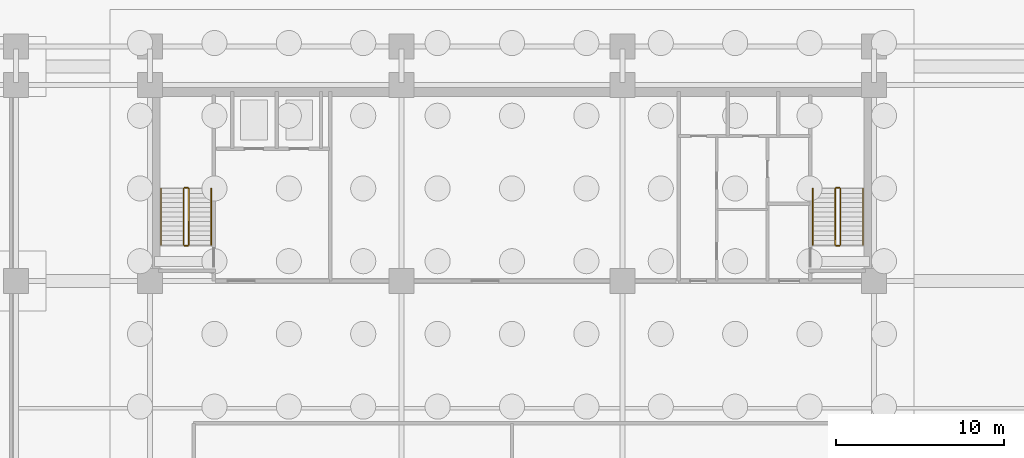
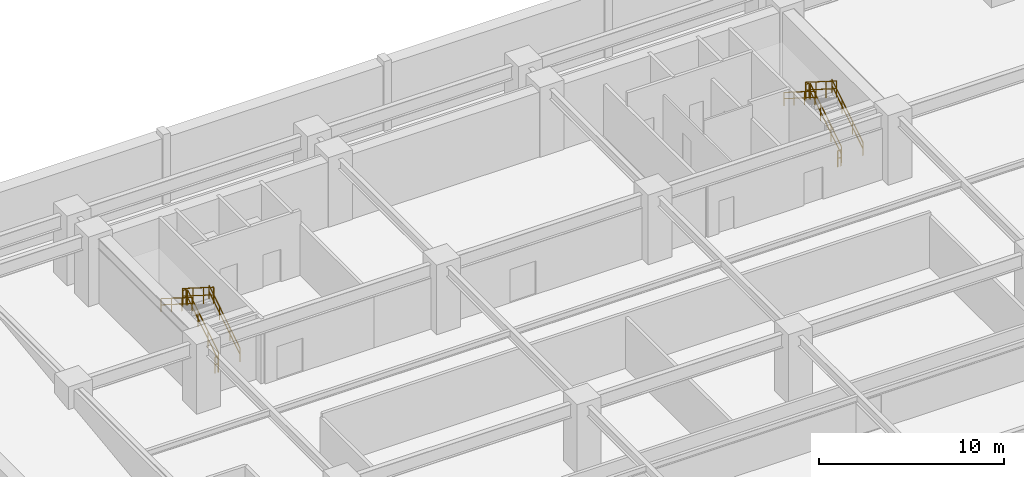
# One storey, part 8 of 9: 12 railings.
"""IFC4 building model written with IfcOpenShell, lengths in metres."""

from ifc_helpers import new_model, si_unit, direction, frame, origin, origin_2d, place, context, subcontext, project, spatial, rectangle, extrude, material, type_object, element, save


model = new_model("IFC4")

# Units and contexts
model_context = context("Model", 3, precision=1e-05, world=origin(), true_north=direction((0.0, 1.0)))
body_context = subcontext(model_context, "Body", "Model", "MODEL_VIEW")
ifc_project = project(units=[si_unit("LENGTHUNIT", "METRE"), si_unit("AREAUNIT", "SQUARE_METRE"), si_unit("VOLUMEUNIT", "CUBIC_METRE"), si_unit("PLANEANGLEUNIT", "RADIAN"), si_unit("MASSUNIT", "GRAM", prefix="KILO")], contexts=[model_context])

# Site, building, storey
site_placement = place(None, origin())
site = spatial("IfcSite", under=ifc_project, at=site_placement, CompositionType="ELEMENT")
building_placement = place(site_placement, origin())
building = spatial("IfcBuilding", under=site, at=building_placement, Name="Trelvane Seafront Commons", CompositionType="ELEMENT")
storey_placement = place(building_placement, frame((0.0, 0.0, -13.199951171875)))
storey = spatial("IfcBuildingStorey", under=building, at=storey_placement, Name="B03", CompositionType="ELEMENT", Elevation=-13.199951171875)

# Railings
ifc_material = material(Name="Stainless steel balustrade", Category="steel")
railing_type_1 = type_object("IfcRailingType", Name="ARCH-SRL-GUARD", PredefinedType="GUARDRAIL", material=ifc_material)
railing_1_placement = place(storey_placement, frame((17.89990234375, 35.550048828125, 0.1767578125)))
element("IfcRailing", 1, at=railing_1_placement, inside=storey, type_object=railing_type_1, Name="B03 ST-1 stair guard 1", PredefinedType="GUARDRAIL", context=body_context, shape_type="SweptSolid", body=[
    extrude(rectangle(XDim=0.048095703125, YDim=0.048095703125, at=origin_2d()), frame((0.0, 0.0, 1.076171875), z_axis=(0.0, 0.845344368971, 0.534221768416), x_axis=(-1.0, 0.0, 0.0)), (0.0, 0.0, 1.0), 3.974609375),
    extrude(rectangle(XDim=0.048095703125, YDim=0.048095703125, at=origin_2d()), frame((0.0, 0.0, 0.572021484375), z_axis=(0.0, 0.845344368971, 0.534221768416), x_axis=(-1.0, 0.0, 0.0)), (0.0, 0.0, 1.0), 3.974609375),
    extrude(rectangle(XDim=0.0419921875, YDim=0.0419921875, at=origin_2d()), origin(), (0.0, 0.0, 1.0), 1.076171875),
    extrude(rectangle(XDim=0.0419921875, YDim=0.0419921875, at=origin_2d()), frame((0.0, 1.119873046875, 0.707763671875)), (0.0, 0.0, 1.0), 1.076171875),
    extrude(rectangle(XDim=0.0419921875, YDim=0.0419921875, at=origin_2d()), frame((0.0, 2.239990234375, 1.41552734375)), (0.0, 0.0, 1.0), 1.076171875),
    extrude(rectangle(XDim=0.0419921875, YDim=0.0419921875, at=origin_2d()), frame((0.0, 3.35986328125, 2.123291015625)), (0.0, 0.0, 1.0), 1.076171875),
])
railing_2_placement = place(storey_placement, frame((17.85009765625, 38.9599609375, 2.300048828125)))
element("IfcRailing", 2, at=railing_2_placement, inside=storey, type_object=railing_type_1, Name="B03 ST-1 stair guard 2", PredefinedType="GUARDRAIL", context=body_context, shape_type="SweptSolid", body=[
    extrude(rectangle(XDim=0.048095703125, YDim=0.048095703125, at=origin_2d()), frame((0.0, 0.0, 1.076171875), z_axis=(-1.0, 0.0, 0.0), x_axis=(0.0, -1.0, 0.0)), (0.0, 0.0, 1.0), 0.2001953125),
    extrude(rectangle(XDim=0.048095703125, YDim=0.048095703125, at=origin_2d()), frame((0.0, 0.0, 0.572021484375), z_axis=(-1.0, 0.0, 0.0), x_axis=(0.0, -1.0, 0.0)), (0.0, 0.0, 1.0), 0.2001953125),
    extrude(rectangle(XDim=0.0419921875, YDim=0.0419921875, at=origin_2d()), origin(), (0.0, 0.0, 1.0), 1.076171875),
    extrude(rectangle(XDim=0.0419921875, YDim=0.0419921875, at=origin_2d()), frame((-0.2001953125, 0.0, 0.0)), (0.0, 0.0, 1.0), 1.076171875),
])
railing_3_placement = place(storey_placement, frame((17.60009765625, 38.909912109375, 2.476806640625)))
element("IfcRailing", 3, at=railing_3_placement, inside=storey, type_object=railing_type_1, Name="B03 ST-1 stair guard 3", PredefinedType="GUARDRAIL", context=body_context, shape_type="SweptSolid", body=[
    extrude(rectangle(XDim=0.048095703125, YDim=0.048095703125, at=origin_2d()), frame((0.0, 0.0, 1.076171875), z_axis=(0.0, -0.845372108799, 0.534177870812), x_axis=(1.0, 0.0, 0.0)), (0.0, 0.0, 1.0), 3.974365234375),
    extrude(rectangle(XDim=0.048095703125, YDim=0.048095703125, at=origin_2d()), frame((0.0, 0.0, 0.572021484375), z_axis=(0.0, -0.845372108799, 0.534177870812), x_axis=(1.0, 0.0, 0.0)), (0.0, 0.0, 1.0), 3.974365234375),
    extrude(rectangle(XDim=0.0419921875, YDim=0.0419921875, at=origin_2d()), origin(), (0.0, 0.0, 1.0), 1.076171875),
    extrude(rectangle(XDim=0.0419921875, YDim=0.0419921875, at=origin_2d()), frame((0.0, -1.119873046875, 0.707763671875)), (0.0, 0.0, 1.0), 1.076171875),
    extrude(rectangle(XDim=0.0419921875, YDim=0.0419921875, at=origin_2d()), frame((0.0, -2.239990234375, 1.415283203125)), (0.0, 0.0, 1.0), 1.076171875),
    extrude(rectangle(XDim=0.0419921875, YDim=0.0419921875, at=origin_2d()), frame((0.0, -3.35986328125, 2.123046875)), (0.0, 0.0, 1.0), 1.076171875),
])
railing_4_placement = place(storey_placement, frame((17.85009765625, 35.5, 0.0)))
element("IfcRailing", 4, at=railing_4_placement, inside=storey, type_object=railing_type_1, Name="B03 ST-1 stair guard 4", PredefinedType="GUARDRAIL", context=body_context, shape_type="SweptSolid", body=[
    extrude(rectangle(XDim=0.048095703125, YDim=0.048095703125, at=origin_2d()), frame((0.0, 0.0, 1.076171875), z_axis=(-1.0, 0.0, 0.0), x_axis=(0.0, -1.0, 0.0)), (0.0, 0.0, 1.0), 0.2001953125),
    extrude(rectangle(XDim=0.048095703125, YDim=0.048095703125, at=origin_2d()), frame((0.0, 0.0, 0.572021484375), z_axis=(-1.0, 0.0, 0.0), x_axis=(0.0, -1.0, 0.0)), (0.0, 0.0, 1.0), 0.2001953125),
    extrude(rectangle(XDim=0.0419921875, YDim=0.0419921875, at=origin_2d()), origin(), (0.0, 0.0, 1.0), 1.076171875),
    extrude(rectangle(XDim=0.0419921875, YDim=0.0419921875, at=origin_2d()), frame((-0.2001953125, 0.0, 0.0)), (0.0, 0.0, 1.0), 1.076171875),
])
railing_5_placement = place(storey_placement, frame((56.800048828125, 35.550048828125, 0.1767578125)))
element("IfcRailing", 5, at=railing_5_placement, inside=storey, type_object=railing_type_1, Name="B03 ST-2 stair guard 1", PredefinedType="GUARDRAIL", context=body_context, shape_type="SweptSolid", body=[
    extrude(rectangle(XDim=0.048095703125, YDim=0.048095703125, at=origin_2d()), frame((0.0, 0.0, 1.076171875), z_axis=(0.0, 0.845344368971, 0.534221768416), x_axis=(-1.0, 0.0, 0.0)), (0.0, 0.0, 1.0), 3.974609375),
    extrude(rectangle(XDim=0.048095703125, YDim=0.048095703125, at=origin_2d()), frame((0.0, 0.0, 0.572021484375), z_axis=(0.0, 0.845344368971, 0.534221768416), x_axis=(-1.0, 0.0, 0.0)), (0.0, 0.0, 1.0), 3.974609375),
    extrude(rectangle(XDim=0.0419921875, YDim=0.0419921875, at=origin_2d()), origin(), (0.0, 0.0, 1.0), 1.076171875),
    extrude(rectangle(XDim=0.0419921875, YDim=0.0419921875, at=origin_2d()), frame((0.0, 1.119873046875, 0.707763671875)), (0.0, 0.0, 1.0), 1.076171875),
    extrude(rectangle(XDim=0.0419921875, YDim=0.0419921875, at=origin_2d()), frame((0.0, 2.239990234375, 1.41552734375)), (0.0, 0.0, 1.0), 1.076171875),
    extrude(rectangle(XDim=0.0419921875, YDim=0.0419921875, at=origin_2d()), frame((0.0, 3.35986328125, 2.123291015625)), (0.0, 0.0, 1.0), 1.076171875),
])
railing_6_placement = place(storey_placement, frame((56.75, 38.9599609375, 2.300048828125)))
element("IfcRailing", 6, at=railing_6_placement, inside=storey, type_object=railing_type_1, Name="B03 ST-2 stair guard 2", PredefinedType="GUARDRAIL", context=body_context, shape_type="SweptSolid", body=[
    extrude(rectangle(XDim=0.048095703125, YDim=0.048095703125, at=origin_2d()), frame((0.0, 0.0, 1.076171875), z_axis=(-1.0, 0.0, 0.0), x_axis=(0.0, -1.0, 0.0)), (0.0, 0.0, 1.0), 0.199951171875),
    extrude(rectangle(XDim=0.048095703125, YDim=0.048095703125, at=origin_2d()), frame((0.0, 0.0, 0.572021484375), z_axis=(-1.0, 0.0, 0.0), x_axis=(0.0, -1.0, 0.0)), (0.0, 0.0, 1.0), 0.199951171875),
    extrude(rectangle(XDim=0.0419921875, YDim=0.0419921875, at=origin_2d()), origin(), (0.0, 0.0, 1.0), 1.076171875),
    extrude(rectangle(XDim=0.0419921875, YDim=0.0419921875, at=origin_2d()), frame((-0.199951171875, 0.0, 0.0)), (0.0, 0.0, 1.0), 1.076171875),
])
railing_7_placement = place(storey_placement, frame((56.5, 38.909912109375, 2.476806640625)))
element("IfcRailing", 7, at=railing_7_placement, inside=storey, type_object=railing_type_1, Name="B03 ST-2 stair guard 3", PredefinedType="GUARDRAIL", context=body_context, shape_type="SweptSolid", body=[
    extrude(rectangle(XDim=0.048095703125, YDim=0.048095703125, at=origin_2d()), frame((0.0, 0.0, 1.076171875), z_axis=(0.0, -0.845372108799, 0.534177870812), x_axis=(1.0, 0.0, 0.0)), (0.0, 0.0, 1.0), 3.974365234375),
    extrude(rectangle(XDim=0.048095703125, YDim=0.048095703125, at=origin_2d()), frame((0.0, 0.0, 0.572021484375), z_axis=(0.0, -0.845372108799, 0.534177870812), x_axis=(1.0, 0.0, 0.0)), (0.0, 0.0, 1.0), 3.974365234375),
    extrude(rectangle(XDim=0.0419921875, YDim=0.0419921875, at=origin_2d()), origin(), (0.0, 0.0, 1.0), 1.076171875),
    extrude(rectangle(XDim=0.0419921875, YDim=0.0419921875, at=origin_2d()), frame((0.0, -1.119873046875, 0.707763671875)), (0.0, 0.0, 1.0), 1.076171875),
    extrude(rectangle(XDim=0.0419921875, YDim=0.0419921875, at=origin_2d()), frame((0.0, -2.239990234375, 1.415283203125)), (0.0, 0.0, 1.0), 1.076171875),
    extrude(rectangle(XDim=0.0419921875, YDim=0.0419921875, at=origin_2d()), frame((0.0, -3.35986328125, 2.123046875)), (0.0, 0.0, 1.0), 1.076171875),
])
railing_8_placement = place(storey_placement, frame((56.75, 35.5, 0.0)))
element("IfcRailing", 8, at=railing_8_placement, inside=storey, type_object=railing_type_1, Name="B03 ST-2 stair guard 4", PredefinedType="GUARDRAIL", context=body_context, shape_type="SweptSolid", body=[
    extrude(rectangle(XDim=0.048095703125, YDim=0.048095703125, at=origin_2d()), frame((0.0, 0.0, 1.076171875), z_axis=(-1.0, 0.0, 0.0), x_axis=(0.0, -1.0, 0.0)), (0.0, 0.0, 1.0), 0.199951171875),
    extrude(rectangle(XDim=0.048095703125, YDim=0.048095703125, at=origin_2d()), frame((0.0, 0.0, 0.572021484375), z_axis=(-1.0, 0.0, 0.0), x_axis=(0.0, -1.0, 0.0)), (0.0, 0.0, 1.0), 0.199951171875),
    extrude(rectangle(XDim=0.0419921875, YDim=0.0419921875, at=origin_2d()), origin(), (0.0, 0.0, 1.0), 1.076171875),
    extrude(rectangle(XDim=0.0419921875, YDim=0.0419921875, at=origin_2d()), frame((-0.199951171875, 0.0, 0.0)), (0.0, 0.0, 1.0), 1.076171875),
])
railing_type_2 = type_object("IfcRailingType", Name="ARCH-SRL-HAND", PredefinedType="HANDRAIL", material=ifc_material)
railing_9_placement = place(storey_placement, frame((19.25, 35.550048828125, 0.1767578125)))
element("IfcRailing", 9, at=railing_9_placement, inside=storey, type_object=railing_type_2, Name="B03 ST-1 stair handrail 1", PredefinedType="HANDRAIL", context=body_context, shape_type="SweptSolid", body=[
    extrude(rectangle(XDim=0.048095703125, YDim=0.048095703125, at=origin_2d()), frame((0.0, 0.0, 0.8759765625), z_axis=(0.0, 0.845344368971, 0.534221768416), x_axis=(-1.0, 0.0, 0.0)), (0.0, 0.0, 1.0), 3.974609375),
    extrude(rectangle(XDim=0.048095703125, YDim=0.048095703125, at=origin_2d()), frame((0.0, 0.0, 0.468017578125), z_axis=(0.0, 0.845344368971, 0.534221768416), x_axis=(-1.0, 0.0, 0.0)), (0.0, 0.0, 1.0), 3.974609375),
    extrude(rectangle(XDim=0.0419921875, YDim=0.0419921875, at=origin_2d()), origin(), (0.0, 0.0, 1.0), 0.8759765625),
    extrude(rectangle(XDim=0.0419921875, YDim=0.0419921875, at=origin_2d()), frame((0.0, 1.119873046875, 0.707763671875)), (0.0, 0.0, 1.0), 0.8759765625),
    extrude(rectangle(XDim=0.0419921875, YDim=0.0419921875, at=origin_2d()), frame((0.0, 2.239990234375, 1.41552734375)), (0.0, 0.0, 1.0), 0.8759765625),
    extrude(rectangle(XDim=0.0419921875, YDim=0.0419921875, at=origin_2d()), frame((0.0, 3.35986328125, 2.123291015625)), (0.0, 0.0, 1.0), 0.8759765625),
])
railing_10_placement = place(storey_placement, frame((16.25, 38.909912109375, 2.476806640625)))
element("IfcRailing", 10, at=railing_10_placement, inside=storey, type_object=railing_type_2, Name="B03 ST-1 stair handrail 2", PredefinedType="HANDRAIL", context=body_context, shape_type="SweptSolid", body=[
    extrude(rectangle(XDim=0.048095703125, YDim=0.048095703125, at=origin_2d()), frame((0.0, 0.0, 0.8759765625), z_axis=(0.0, -0.845372108799, 0.534177870812), x_axis=(1.0, 0.0, 0.0)), (0.0, 0.0, 1.0), 3.974365234375),
    extrude(rectangle(XDim=0.048095703125, YDim=0.048095703125, at=origin_2d()), frame((0.0, 0.0, 0.468017578125), z_axis=(0.0, -0.845372108799, 0.534177870812), x_axis=(1.0, 0.0, 0.0)), (0.0, 0.0, 1.0), 3.974365234375),
    extrude(rectangle(XDim=0.0419921875, YDim=0.0419921875, at=origin_2d()), origin(), (0.0, 0.0, 1.0), 0.8759765625),
    extrude(rectangle(XDim=0.0419921875, YDim=0.0419921875, at=origin_2d()), frame((0.0, -1.119873046875, 0.707763671875)), (0.0, 0.0, 1.0), 0.8759765625),
    extrude(rectangle(XDim=0.0419921875, YDim=0.0419921875, at=origin_2d()), frame((0.0, -2.239990234375, 1.415283203125)), (0.0, 0.0, 1.0), 0.8759765625),
    extrude(rectangle(XDim=0.0419921875, YDim=0.0419921875, at=origin_2d()), frame((0.0, -3.35986328125, 2.123046875)), (0.0, 0.0, 1.0), 0.8759765625),
])
railing_11_placement = place(storey_placement, frame((58.14990234375, 35.550048828125, 0.1767578125)))
element("IfcRailing", 11, at=railing_11_placement, inside=storey, type_object=railing_type_2, Name="B03 ST-2 stair handrail 1", PredefinedType="HANDRAIL", context=body_context, shape_type="SweptSolid", body=[
    extrude(rectangle(XDim=0.048095703125, YDim=0.048095703125, at=origin_2d()), frame((0.0, 0.0, 0.8759765625), z_axis=(0.0, 0.845344368971, 0.534221768416), x_axis=(-1.0, 0.0, 0.0)), (0.0, 0.0, 1.0), 3.974609375),
    extrude(rectangle(XDim=0.048095703125, YDim=0.048095703125, at=origin_2d()), frame((0.0, 0.0, 0.468017578125), z_axis=(0.0, 0.845344368971, 0.534221768416), x_axis=(-1.0, 0.0, 0.0)), (0.0, 0.0, 1.0), 3.974609375),
    extrude(rectangle(XDim=0.0419921875, YDim=0.0419921875, at=origin_2d()), origin(), (0.0, 0.0, 1.0), 0.8759765625),
    extrude(rectangle(XDim=0.0419921875, YDim=0.0419921875, at=origin_2d()), frame((0.0, 1.119873046875, 0.707763671875)), (0.0, 0.0, 1.0), 0.8759765625),
    extrude(rectangle(XDim=0.0419921875, YDim=0.0419921875, at=origin_2d()), frame((0.0, 2.239990234375, 1.41552734375)), (0.0, 0.0, 1.0), 0.8759765625),
    extrude(rectangle(XDim=0.0419921875, YDim=0.0419921875, at=origin_2d()), frame((0.0, 3.35986328125, 2.123291015625)), (0.0, 0.0, 1.0), 0.8759765625),
])
railing_12_placement = place(storey_placement, frame((55.14990234375, 38.909912109375, 2.476806640625)))
element("IfcRailing", 12, at=railing_12_placement, inside=storey, type_object=railing_type_2, Name="B03 ST-2 stair handrail 2", PredefinedType="HANDRAIL", context=body_context, shape_type="SweptSolid", body=[
    extrude(rectangle(XDim=0.048095703125, YDim=0.048095703125, at=origin_2d()), frame((0.0, 0.0, 0.8759765625), z_axis=(0.0, -0.845372108799, 0.534177870812), x_axis=(1.0, 0.0, 0.0)), (0.0, 0.0, 1.0), 3.974365234375),
    extrude(rectangle(XDim=0.048095703125, YDim=0.048095703125, at=origin_2d()), frame((0.0, 0.0, 0.468017578125), z_axis=(0.0, -0.845372108799, 0.534177870812), x_axis=(1.0, 0.0, 0.0)), (0.0, 0.0, 1.0), 3.974365234375),
    extrude(rectangle(XDim=0.0419921875, YDim=0.0419921875, at=origin_2d()), origin(), (0.0, 0.0, 1.0), 0.8759765625),
    extrude(rectangle(XDim=0.0419921875, YDim=0.0419921875, at=origin_2d()), frame((0.0, -1.119873046875, 0.707763671875)), (0.0, 0.0, 1.0), 0.8759765625),
    extrude(rectangle(XDim=0.0419921875, YDim=0.0419921875, at=origin_2d()), frame((0.0, -2.239990234375, 1.415283203125)), (0.0, 0.0, 1.0), 0.8759765625),
    extrude(rectangle(XDim=0.0419921875, YDim=0.0419921875, at=origin_2d()), frame((0.0, -3.35986328125, 2.123046875)), (0.0, 0.0, 1.0), 0.8759765625),
])

save(model, "model.ifc")
